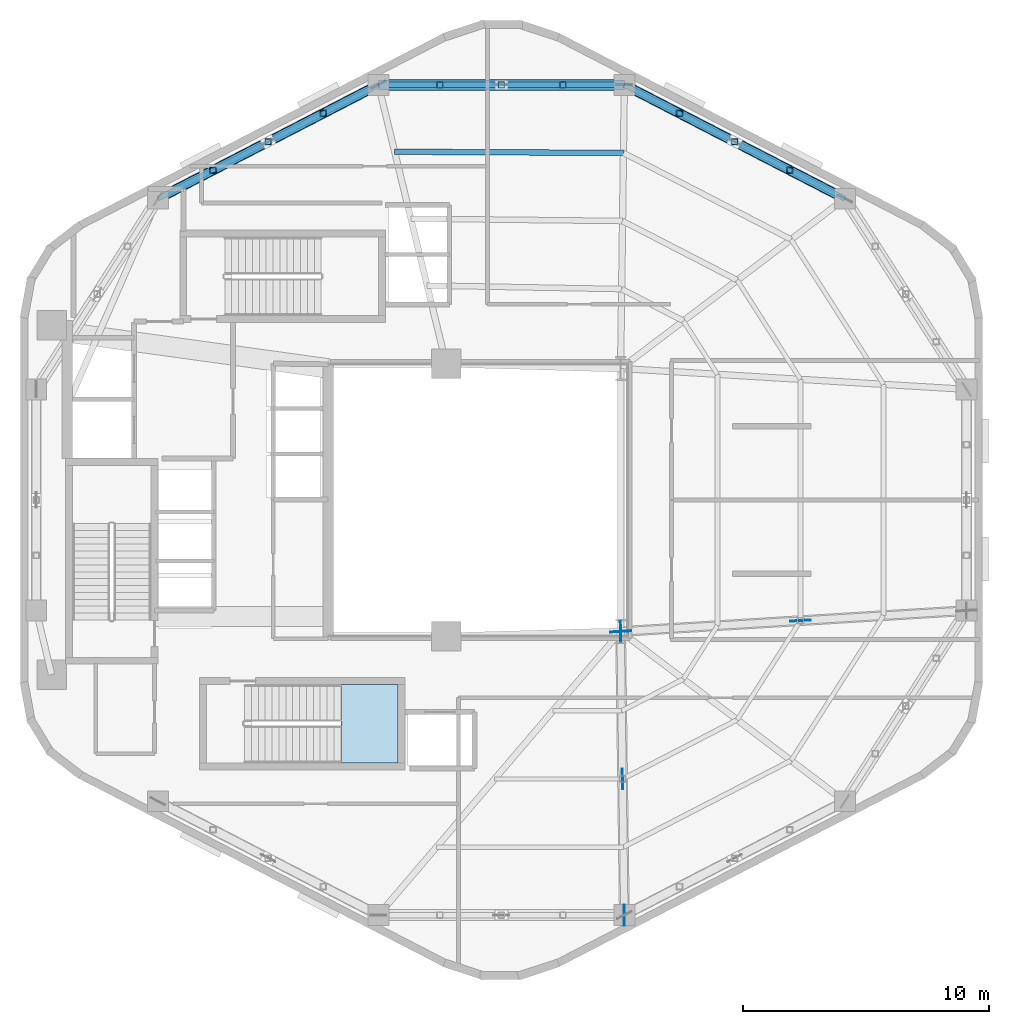
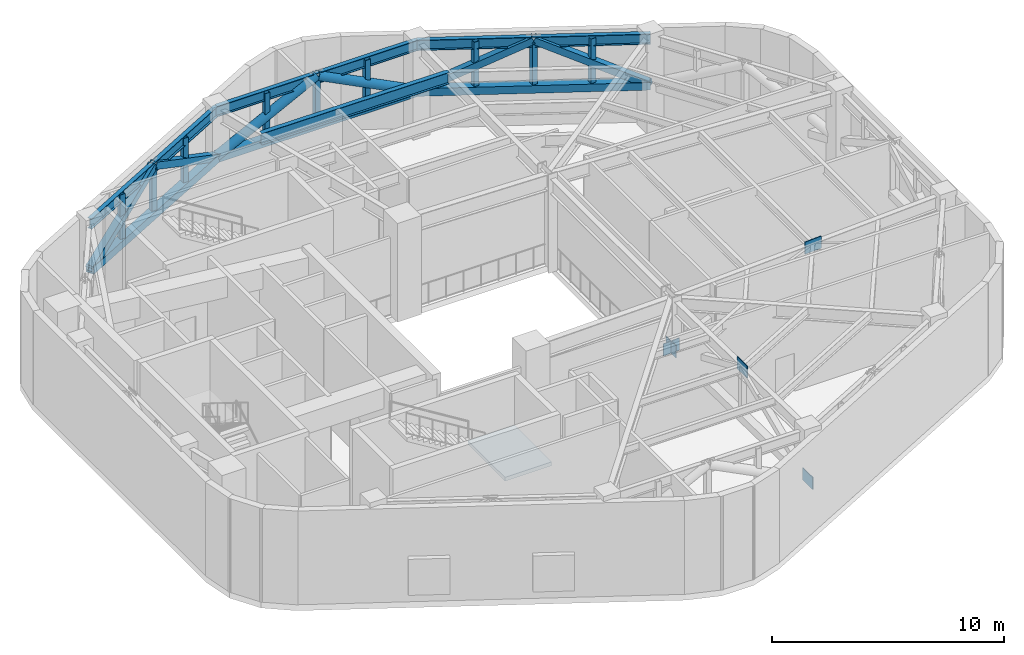
# One storey, part 5 of 10: 18 members, 5 plates, 4 beams, 1 slab, 1 element without a shape of its own.
"""IFC4 building model written with IfcOpenShell, lengths in metres."""

from ifc_helpers import new_model, si_unit, direction, frame, origin, origin_2d, place, context, subcontext, project, spatial, polyline, rectangle, hollow_rectangle, hollow_circle, i_section, outline, extrude, material, layer, layer_set, material_profile, profile_set, type_object, element, aggregate, save


model = new_model("IFC4")

# Units and contexts
model_context = context("Model", 3, precision=1e-05, world=origin(), true_north=direction((0.0, 1.0)))
body_context = subcontext(model_context, "Body", "Model", "MODEL_VIEW")
ifc_project = project(units=[si_unit("LENGTHUNIT", "METRE"), si_unit("AREAUNIT", "SQUARE_METRE"), si_unit("VOLUMEUNIT", "CUBIC_METRE"), si_unit("PLANEANGLEUNIT", "RADIAN"), si_unit("MASSUNIT", "GRAM", prefix="KILO"), si_unit("THERMODYNAMICTEMPERATUREUNIT", "KELVIN"), si_unit("POWERUNIT", "WATT")], contexts=[model_context])

# Site, building, storey
site_placement = place(None, origin())
site = spatial("IfcSite", under=ifc_project, at=site_placement, CompositionType="ELEMENT")
building_placement = place(site_placement, origin())
building = spatial("IfcBuilding", under=site, at=building_placement, Name="Skarre Station Tower", CompositionType="ELEMENT")
storey_placement = place(building_placement, frame((0.0, 0.0, 191.25)))
storey = spatial("IfcBuildingStorey", under=building, at=storey_placement, Name="L52", CompositionType="ELEMENT", Elevation=191.25)

# Beams
ifc_material_1 = material(Name="Steel ASTM A992 Grade 50", Category="steel")
ifc_material_profile_1 = material_profile(ifc_material_1, i_section(OverallWidth=0.22802734375, OverallDepth=0.60791015625, WebThickness=0.010986328125, FlangeThickness=0.01708984375, at=origin_2d()), Name="Steel ASTM A992 Grade 50")
ifc_profile_set_1 = profile_set([ifc_material_profile_1], Name="Steel ASTM A992 Grade 50")
beam_type_1 = type_object("IfcBeamType", Name="Steel Joist W24X76", PredefinedType="JOIST", material=ifc_profile_set_1)
beam_1_placement = place(storey_placement, frame((39.56591796875, 38.118896484375, 4.635986328125), z_axis=(-0.999986650222, 0.005167144134, 0.0), x_axis=(-0.005167144134, -0.999986650222, 0.0)))
element("IfcBeam", 1, at=beam_1_placement, inside=storey, type_object=beam_type_1, Name="L52 Secondary Floor Joist 6", PredefinedType="JOIST", context=body_context, shape_type="SweptSolid", body=[
    extrude(i_section(OverallWidth=0.22802734375, OverallDepth=0.60791015625, WebThickness=0.010986328125, FlangeThickness=0.01708984375, at=origin_2d()), origin(), (0.0, 0.0, 1.0), 9.30810546875),
])
ifc_material_profile_2 = material_profile(ifc_material_1, i_section(OverallWidth=0.214111328125, OverallDepth=0.549072265625, WebThickness=0.014892578125, FlangeThickness=0.02392578125, at=origin_2d()), Name="Steel ASTM A992 Grade 50")
ifc_profile_set_2 = profile_set([ifc_material_profile_2], Name="Steel ASTM A992 Grade 50")
beam_type_2 = type_object("IfcBeamType", Name="Steel Spandrel W21X93", PredefinedType="SPANDREL", material=ifc_profile_set_2)
beam_2_placement = place(storey_placement, frame((48.573974609375, 36.257080078125, 4.666015625), z_axis=(-0.888613027226, 0.458657702262, 0.0), x_axis=(-0.458657702262, -0.888613027226, 0.0)))
element("IfcBeam", 2, at=beam_2_placement, inside=storey, type_object=beam_type_2, Name="L52 Facet Spandrel Beam 1", PredefinedType="SPANDREL", context=body_context, shape_type="SweptSolid", body=[
    extrude(i_section(OverallWidth=0.214111328125, OverallDepth=0.549072265625, WebThickness=0.014892578125, FlangeThickness=0.02392578125, at=origin_2d()), origin(), (0.0, 0.0, 1.0), 10.096435546875),
])
beam_3_placement = place(storey_placement, frame((39.60205078125, 40.887939453125, 4.666015625), z_axis=(-1.0, 0.0, 0.0), x_axis=(0.0, -1.0, 0.0)))
element("IfcBeam", 3, at=beam_3_placement, inside=storey, type_object=beam_type_2, Name="L52 Facet Spandrel Beam 2", PredefinedType="SPANDREL", context=body_context, shape_type="SweptSolid", body=[
    extrude(i_section(OverallWidth=0.214111328125, OverallDepth=0.549072265625, WebThickness=0.014892578125, FlangeThickness=0.02392578125, at=origin_2d()), origin(), (0.0, 0.0, 1.0), 10.004150390625),
])
beam_4_placement = place(storey_placement, frame((29.597900390625, 40.887939453125, 4.666015625), z_axis=(-0.888613027226, -0.458657702262, 0.0), x_axis=(0.458657702262, -0.888613027226, 0.0)))
element("IfcBeam", 4, at=beam_4_placement, inside=storey, type_object=beam_type_2, Name="L52 Facet Spandrel Beam 3", PredefinedType="SPANDREL", context=body_context, shape_type="SweptSolid", body=[
    extrude(i_section(OverallWidth=0.214111328125, OverallDepth=0.549072265625, WebThickness=0.014892578125, FlangeThickness=0.02392578125, at=origin_2d()), origin(), (0.0, 0.0, 1.0), 10.096435546875),
])

# Members
ifc_material_2 = material(Name="Steel ASTM A500 Grade C", Category="steel")
ifc_material_profile_3 = material_profile(ifc_material_2, hollow_circle(Radius=0.228515625, WallThickness=0.02001953125, at=origin_2d()), Name="Steel ASTM A500 Grade C")
ifc_profile_set_3 = profile_set([ifc_material_profile_3], Name="Steel ASTM A500 Grade C")
member_type_1 = type_object("IfcMemberType", Name="Steel Truss Brace CHS457X20", PredefinedType="BRACE", material=ifc_profile_set_3)
member_1_placement = place(storey_placement, frame((39.60205078125, 40.887939453125, 2.25), z_axis=(-0.891624605501, 0.0, 0.452775400021), x_axis=(0.0, -1.0, 0.0)))
element("IfcMember", 5, at=member_1_placement, inside=storey, type_object=member_type_1, Name="L52 Belt Truss Chevron Diagonal 2A", PredefinedType="BRACE", context=body_context, shape_type="SweptSolid", body=[
    extrude(hollow_circle(Radius=0.228515625, WallThickness=0.02001953125, at=origin_2d()), origin(), (0.0, 0.0, 1.0), 5.60986328125),
])
member_2_placement = place(storey_placement, frame((29.597900390625, 40.887939453125, 2.25), z_axis=(0.891633526693, 0.0, 0.452757831603), x_axis=(0.0, 1.0, 0.0)))
element("IfcMember", 6, at=member_2_placement, inside=storey, type_object=member_type_1, Name="L52 Belt Truss Chevron Diagonal 2B", PredefinedType="BRACE", context=body_context, shape_type="SweptSolid", body=[
    extrude(hollow_circle(Radius=0.228515625, WallThickness=0.02001953125, at=origin_2d()), origin(), (0.0, 0.0, 1.0), 5.610107421875),
])
ifc_material_profile_4 = material_profile(ifc_material_2, hollow_rectangle(XDim=0.35009765625, YDim=0.35009765625, WallThickness=0.02001953125, at=origin_2d()), Name="Steel ASTM A500 Grade C")
ifc_profile_set_4 = profile_set([ifc_material_profile_4], Name="Steel ASTM A500 Grade C")
member_type_2 = type_object("IfcMemberType", Name="Steel Truss Brace HSS350X350X20", PredefinedType="BRACE", material=ifc_profile_set_4)
member_3_placement = place(storey_placement, frame((48.573974609375, 36.257080078125, 2.25), z_axis=(-0.793833036045, 0.409639447498, 0.449471505144), x_axis=(-0.458571467637, -0.888657531937, 0.0)))
element("IfcMember", 7, at=member_3_placement, inside=storey, type_object=member_type_2, Name="L52 Belt Truss Chevron Diagonal 1A", PredefinedType="BRACE", context=body_context, shape_type="SweptSolid", body=[
    extrude(hollow_rectangle(XDim=0.35009765625, YDim=0.35009765625, WallThickness=0.02001953125, at=origin_2d()), origin(), (0.0, 0.0, 1.0), 5.651123046875),
])
for number, where, z_axis, x_axis, name in (
    (8, (39.60205078125, 40.887939453125, 2.25), (0.793760854971, -0.409797293472, 0.449455096066), (0.458743928623, 0.888568516183, 0.0), "L52 Belt Truss Chevron Diagonal 1B"),
    (9, (29.597900390625, 40.887939453125, 2.25), (-0.793760854971, -0.409797293472, 0.449455096066), (0.458743928623, -0.888568516183, 0.0), "L52 Belt Truss Chevron Diagonal 3A"),
):
    element("IfcMember", number, at=place(storey_placement, frame(where, z_axis=z_axis, x_axis=x_axis)), inside=storey, type_object=member_type_2, Name=name, PredefinedType="BRACE", context=body_context, shape_type="SweptSolid", body=[
        extrude(hollow_rectangle(XDim=0.35009765625, YDim=0.35009765625, WallThickness=0.02001953125, at=origin_2d()), origin(), (0.0, 0.0, 1.0), 5.6513671875),
    ])
member_4_placement = place(storey_placement, frame((20.6259765625, 36.257080078125, 2.25), z_axis=(0.793833036045, 0.409639447498, 0.449471505144), x_axis=(-0.458571467637, 0.888657531937, 0.0)))
element("IfcMember", 10, at=member_4_placement, inside=storey, type_object=member_type_2, Name="L52 Belt Truss Chevron Diagonal 3B", PredefinedType="BRACE", context=body_context, shape_type="SweptSolid", body=[
    extrude(hollow_rectangle(XDim=0.35009765625, YDim=0.35009765625, WallThickness=0.02001953125, at=origin_2d()), origin(), (0.0, 0.0, 1.0), 5.651123046875),
])
ifc_material_profile_5 = material_profile(ifc_material_2, hollow_rectangle(XDim=0.39990234375, YDim=0.39990234375, WallThickness=0.02197265625, at=origin_2d()), Name="Steel ASTM A500 Grade C")
ifc_profile_set_5 = profile_set([ifc_material_profile_5], Name="Steel ASTM A500 Grade C")
member_type_3 = type_object("IfcMemberType", Name="Steel Truss Chord HSS400X400X22", PredefinedType="CHORD", material=ifc_profile_set_5)
member_5_placement = place(storey_placement, frame((48.573974609375, 36.257080078125, 2.25), z_axis=(-0.888613027226, 0.458657702262, 0.0), x_axis=(-0.458657702262, -0.888613027226, 0.0)))
element("IfcMember", 11, at=member_5_placement, inside=storey, type_object=member_type_3, Name="L52 Belt Truss Bottom Chord 1", PredefinedType="CHORD", context=body_context, shape_type="SweptSolid", body=[
    extrude(hollow_rectangle(XDim=0.39990234375, YDim=0.39990234375, WallThickness=0.02197265625, at=origin_2d()), origin(), (0.0, 0.0, 1.0), 10.096435546875),
])
member_6_placement = place(storey_placement, frame((39.60205078125, 40.887939453125, 2.25), z_axis=(-1.0, 0.0, 0.0), x_axis=(0.0, -1.0, 0.0)))
element("IfcMember", 12, at=member_6_placement, inside=storey, type_object=member_type_3, Name="L52 Belt Truss Bottom Chord 2", PredefinedType="CHORD", context=body_context, shape_type="SweptSolid", body=[
    extrude(hollow_rectangle(XDim=0.39990234375, YDim=0.39990234375, WallThickness=0.02197265625, at=origin_2d()), origin(), (0.0, 0.0, 1.0), 10.004150390625),
])
member_7_placement = place(storey_placement, frame((29.597900390625, 40.887939453125, 2.25), z_axis=(-0.888613027226, -0.458657702262, 0.0), x_axis=(0.458657702262, -0.888613027226, 0.0)))
element("IfcMember", 13, at=member_7_placement, inside=storey, type_object=member_type_3, Name="L52 Belt Truss Bottom Chord 3", PredefinedType="CHORD", context=body_context, shape_type="SweptSolid", body=[
    extrude(hollow_rectangle(XDim=0.39990234375, YDim=0.39990234375, WallThickness=0.02197265625, at=origin_2d()), origin(), (0.0, 0.0, 1.0), 10.096435546875),
])
ifc_material_profile_6 = material_profile(ifc_material_2, hollow_rectangle(XDim=0.25, YDim=0.25, WallThickness=0.01611328125, at=origin_2d()), Name="Steel ASTM A500 Grade C")
ifc_profile_set_6 = profile_set([ifc_material_profile_6], Name="Steel ASTM A500 Grade C")
member_type_4 = type_object("IfcMemberType", Name="Steel Truss Strut HSS250X250X16", PredefinedType="STRUT", material=ifc_profile_set_6)
for number, where, z_axis, x_axis, name in (
    (14, (46.3310546875, 37.4150390625, 2.25), (0.0, 0.0, 1.0), (1.0, 0.0, 0.0), "L52 Belt Truss Web Post 1-1"),
    (15, (44.087890625, 38.572021484375, 2.25), (0.0, 0.0, 1.0), (1.0, 0.0, 0.0), "L52 Belt Truss Web Post 1-2"),
    (16, (41.844970703125, 39.72998046875, 2.25), (0.0, 0.0, 1.0), (1.0, 0.0, 0.0), "L52 Belt Truss Web Post 1-3"),
    (17, (37.10107421875, 40.887939453125, 2.25), (0.0, 0.0, 1.0), (1.0, 0.0, 0.0), "L52 Belt Truss Web Post 2-1"),
    (18, (34.60009765625, 40.887939453125, 2.25), (0.0, 0.0, 1.0), (1.0, 0.0, 0.0), "L52 Belt Truss Web Post 2-2"),
    (19, (32.09912109375, 40.887939453125, 2.25), (0.0, 0.0, 1.0), (1.0, 0.0, 0.0), "L52 Belt Truss Web Post 2-3"),
    (20, (27.35498046875, 39.72998046875, 2.25), (0.0, 0.0, 1.0), (1.0, 0.0, 0.0), "L52 Belt Truss Web Post 3-1"),
    (21, (25.112060546875, 38.572021484375, 2.25), (0.0, 0.0, 1.0), (1.0, 0.0, 0.0), "L52 Belt Truss Web Post 3-2"),
    (22, (22.868896484375, 37.4150390625, 2.25), (0.0, 0.0, 1.0), (1.0, 0.0, 0.0), "L52 Belt Truss Web Post 3-3"),
):
    element("IfcMember", number, at=place(storey_placement, frame(where, z_axis=z_axis, x_axis=x_axis)), inside=storey, type_object=member_type_4, Name=name, PredefinedType="STRUT", context=body_context, shape_type="SweptSolid", body=[
        extrude(hollow_rectangle(XDim=0.25, YDim=0.25, WallThickness=0.01611328125, at=origin_2d()), origin(), (0.0, 0.0, 1.0), 2.5400390625),
    ])

# Plates
ifc_material_3 = material(Name="Steel ASTM A572 Grade 50", Category="steel")
ifc_layer_1 = layer(ifc_material_3, 0.0400390625, Name="Steel ASTM A572 Grade 50")
ifc_layer_set_1 = layer_set([ifc_layer_1], Name="Steel ASTM A572 Grade 50")
plate_type = type_object("IfcPlateType", Name="Outrigger Heavy Gusset Plate 850x640x40", PredefinedType="USERDEFINED", material=ifc_layer_set_1)
for number, where, z_axis, x_axis, name in (
    (23, (39.529052734375, 12.64990234375, 4.47021484375), (0.0, 0.0, 1.0), (0.013176854508, -0.999913181484, 0.0), "L52 Outrigger Truss Gusset Plate 2"),
    (24, (39.449951171875, 18.64990234375, 1.93017578125), (0.0, 0.0, 1.0), (0.013176854508, -0.999913181484, 0.0), "L52 Outrigger Core Base Gusset Plate 2"),
    (25, (39.60205078125, 7.112060546875, 1.93017578125), (0.0, 0.0, 1.0), (0.013176854508, -0.999913181484, 0.0), "L52 Outrigger Perimeter Base Gusset Plate 2"),
    (26, (46.76708984375, 19.091064453125, 4.47021484375), (0.0, 0.0, 1.0), (0.998184541001, 0.060229744372, 0.0), "L52 Outrigger Truss Gusset Plate 3"),
    (27, (39.449951171875, 18.64990234375, 1.93017578125), (0.0, 0.0, 1.0), (0.998184541001, 0.060229744372, 0.0), "L52 Outrigger Core Base Gusset Plate 3"),
):
    element("IfcPlate", number, at=place(storey_placement, frame(where, z_axis=z_axis, x_axis=x_axis)), inside=storey, type_object=plate_type, Name=name, ObjectType="GUSSET_PLATE", PredefinedType="USERDEFINED", context=body_context, shape_type="SweptSolid", body=[
        extrude(rectangle(XDim=0.85009765625, YDim=0.0400390625, at=origin_2d()), origin(), (0.0, 0.0, 1.0), 0.639892578125),
    ])

# Stair, slab
ifc_material_4 = material(Name="Concrete C40/50", Category="concrete")
stair_type = type_object("IfcStairType", Name="Reinforced Concrete Exit Stair ST-2", PredefinedType="HALF_TURN_STAIR", material=ifc_material_4)
stair_placement = place(storey_placement, origin())
stair = element("IfcStair", 28, at=stair_placement, inside=storey, type_object=stair_type, Name="L52 Core Exit Stair ST-2", PredefinedType="HALF_TURN_STAIR")
ifc_layer_2 = layer(ifc_material_4, 0.219970703125, Name="Concrete C40/50")
ifc_layer_set_2 = layer_set([ifc_layer_2], Name="Concrete C40/50")
slab_type = type_object("IfcSlabType", Name="Reinforced Concrete Stair & Ramp Landing 220", PredefinedType="LANDING", material=ifc_layer_set_2)
slab_placement = place(storey_placement, frame((0.0, 0.0, 2.39990234375)))
slab = element("IfcSlab", 29, at=slab_placement, type_object=slab_type, Name="ST-2 landing 1", PredefinedType="LANDING", context=body_context, shape_type="SweptSolid", body=[
    extrude(outline(polyline([(28.070068359375, 13.300048828125), (30.39990234375, 13.300048828125), (30.39990234375, 16.5), (28.070068359375, 16.5), (28.070068359375, 13.300048828125)])), origin(), (0.0, 0.0, 1.0), 0.2001953125),
])
aggregate(stair, [slab])

save(model, "model.ifc")
